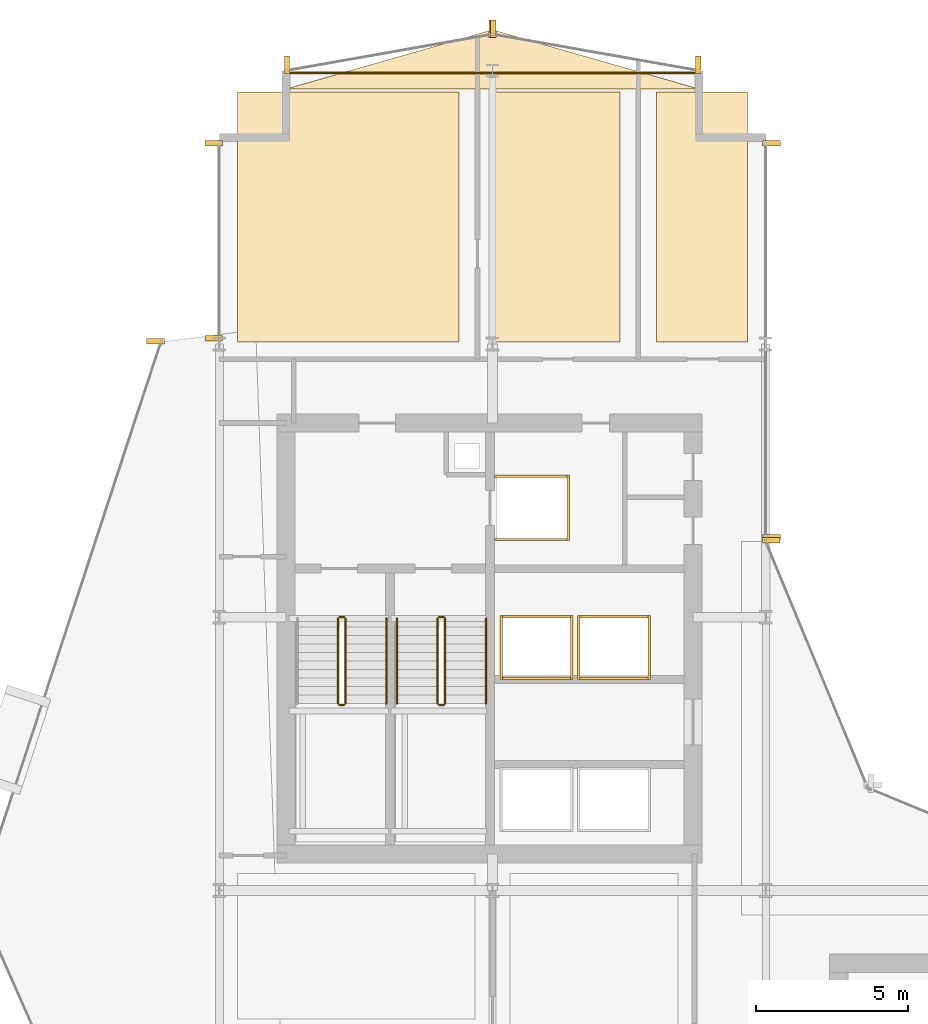
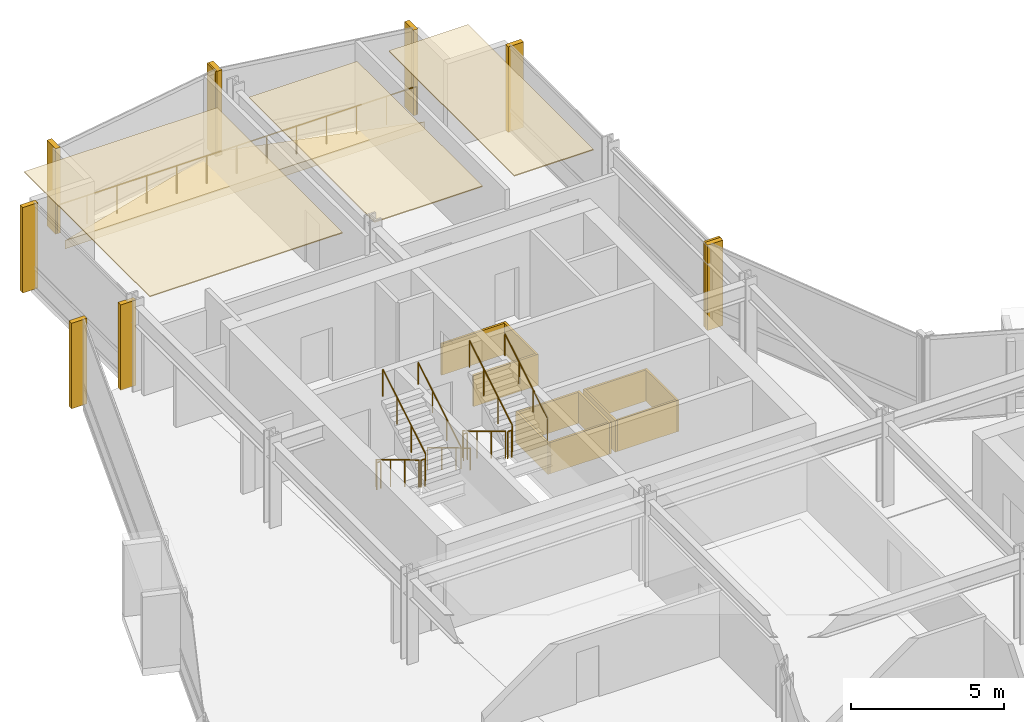
# One storey, part 29 of 29: 25 coverings, 12 railings.
"""IFC4 building model written with IfcOpenShell, lengths in metres."""

from ifc_helpers import new_model, si_unit, direction, frame, origin, origin_2d, place, context, subcontext, project, spatial, polyline, rectangle, circle, outline, extrude, material, layer, layer_set, type_object, element, save


model = new_model("IFC4")

# Units and contexts
model_context = context("Model", 3, precision=1e-05, world=origin(), true_north=direction((0.0, 1.0)))
body_context = subcontext(model_context, "Body", "Model", "MODEL_VIEW")
ifc_project = project(units=[si_unit("LENGTHUNIT", "METRE"), si_unit("AREAUNIT", "SQUARE_METRE"), si_unit("VOLUMEUNIT", "CUBIC_METRE"), si_unit("PLANEANGLEUNIT", "RADIAN"), si_unit("MASSUNIT", "GRAM", prefix="KILO")], contexts=[model_context])

# Site, building, storey
site_placement = place(None, origin())
site = spatial("IfcSite", under=ifc_project, at=site_placement, CompositionType="ELEMENT")
building_placement = place(site_placement, origin())
building = spatial("IfcBuilding", under=site, at=building_placement, Name="Solvaryn Broadcast Tower", CompositionType="ELEMENT")
storey_placement = place(building_placement, frame((0.0, 0.0, 113.699951171875)))
storey = spatial("IfcBuildingStorey", under=building, at=storey_placement, Name="L27", CompositionType="ELEMENT", Elevation=113.699951171875)

# Coverings
ifc_material_1 = material(Name="Micro-Perforated Acoustic Gypsum Ceiling", Category="concrete")
ifc_layer_1 = layer(ifc_material_1, 0.0400390625)
ifc_layer_set_1 = layer_set([ifc_layer_1], Name="CV-CEIL-ACOUSTIC")
covering_type_1 = type_object("IfcCoveringType", Name="CV-CEIL-ACOUSTIC", PredefinedType="CEILING", material=ifc_layer_set_1)
covering_1_placement = place(storey_placement, frame((0.0, 0.0, 3.380126953125)))
element("IfcCovering", 1, at=covering_1_placement, inside=storey, type_object=covering_type_1, Name="L27 Room Acoustic Ceiling 7", PredefinedType="CEILING", context=body_context, shape_type="SweptSolid", body=[
    extrude(outline(polyline([(9.60009765625, 45.070068359375), (16.89990234375, 45.070068359375), (16.89990234375, 53.300048828125), (9.60009765625, 53.300048828125), (9.60009765625, 45.070068359375)])), origin(), (0.0, 0.0, 1.0), 0.0400390625),
])
covering_2_placement = place(storey_placement, frame((0.0, 0.0, 3.380126953125)))
element("IfcCovering", 2, at=covering_2_placement, inside=storey, type_object=covering_type_1, Name="L27 Room Acoustic Ceiling 8", PredefinedType="CEILING", context=body_context, shape_type="SweptSolid", body=[
    extrude(outline(polyline([(18.10009765625, 45.070068359375), (22.199951171875, 45.070068359375), (22.199951171875, 53.300048828125), (18.10009765625, 53.300048828125), (18.10009765625, 45.070068359375)])), origin(), (0.0, 0.0, 1.0), 0.0400390625),
])
covering_3_placement = place(storey_placement, frame((0.0, 0.0, 3.380126953125)))
element("IfcCovering", 3, at=covering_3_placement, inside=storey, type_object=covering_type_1, Name="L27 Room Acoustic Ceiling 9", PredefinedType="CEILING", context=body_context, shape_type="SweptSolid", body=[
    extrude(outline(polyline([(23.39990234375, 45.070068359375), (26.39990234375, 45.070068359375), (26.39990234375, 53.300048828125), (23.39990234375, 53.300048828125), (23.39990234375, 45.070068359375)])), origin(), (0.0, 0.0, 1.0), 0.0400390625),
])
ifc_material_2 = material(Name="Fire-Rated Gypsum Shaftwall Liner", Category="concrete")
ifc_layer_2 = layer(ifc_material_2, 0.080078125)
ifc_layer_set_2 = layer_set([ifc_layer_2], Name="CV-SHAFT-LINER")
covering_type_2 = type_object("IfcCoveringType", Name="CV-SHAFT-LINER", PredefinedType="CLADDING", material=ifc_layer_set_2)
for number, where, z_axis, x_axis, name in (
    (4, (19.300048828125, 40.639892578125, 0.0), (0.0, 0.0, 1.0), (1.0, 0.0, 0.0), "L27 FL1 Hoistway Shaft Liner North"),
    (5, (19.300048828125, 38.56005859375, 0.0), (0.0, 0.0, 1.0), (1.0, 0.0, 0.0), "L27 FL1 Hoistway Shaft Liner South"),
):
    element("IfcCovering", number, at=place(storey_placement, frame(where, z_axis=z_axis, x_axis=x_axis)), inside=storey, type_object=covering_type_2, Name=name, PredefinedType="CLADDING", context=body_context, shape_type="SweptSolid", body=[
        extrude(rectangle(XDim=2.4599609375, YDim=0.080078125, at=origin_2d()), origin(), (0.0, 0.0, 1.0), 1.25),
    ])
covering_4_placement = place(storey_placement, frame((20.489990234375, 39.60009765625, 0.0), z_axis=(0.0, 0.0, 1.0), x_axis=(1.0, 0.0, 0.0)))
element("IfcCovering", 6, at=covering_4_placement, inside=storey, type_object=covering_type_2, Name="L27 FL1 Hoistway Shaft Liner East", PredefinedType="CLADDING", context=body_context, shape_type="SweptSolid", body=[
    extrude(rectangle(XDim=0.080078125, YDim=2.159912109375, at=origin_2d()), origin(), (0.0, 0.0, 1.0), 1.25),
])
for number, where, z_axis, x_axis, name in (
    (7, (19.449951171875, 36.014892578125, 0.0), (0.0, 0.0, 1.0), (1.0, 0.0, 0.0), "L27 PH3 Hoistway Shaft Liner North"),
    (8, (19.449951171875, 33.985107421875, 0.0), (0.0, 0.0, 1.0), (1.0, 0.0, 0.0), "L27 PH3 Hoistway Shaft Liner South"),
):
    element("IfcCovering", number, at=place(storey_placement, frame(where, z_axis=z_axis, x_axis=x_axis)), inside=storey, type_object=covering_type_2, Name=name, PredefinedType="CLADDING", context=body_context, shape_type="SweptSolid", body=[
        extrude(rectangle(XDim=2.409912109375, YDim=0.080078125, at=origin_2d()), origin(), (0.0, 0.0, 1.0), 1.25),
    ])
for number, where, z_axis, x_axis, name in (
    (9, (20.614990234375, 35.0, 0.0), (0.0, 0.0, 1.0), (1.0, 0.0, 0.0), "L27 PH3 Hoistway Shaft Liner East"),
    (10, (18.284912109375, 35.0, 0.0), (0.0, 0.0, 1.0), (1.0, 0.0, 0.0), "L27 PH3 Hoistway Shaft Liner West"),
):
    element("IfcCovering", number, at=place(storey_placement, frame(where, z_axis=z_axis, x_axis=x_axis)), inside=storey, type_object=covering_type_2, Name=name, PredefinedType="CLADDING", context=body_context, shape_type="SweptSolid", body=[
        extrude(rectangle(XDim=0.080078125, YDim=2.110107421875, at=origin_2d()), origin(), (0.0, 0.0, 1.0), 1.25),
    ])
for number, where, z_axis, x_axis, name in (
    (11, (22.0, 36.014892578125, 0.0), (0.0, 0.0, 1.0), (1.0, 0.0, 0.0), "L27 PH4 Hoistway Shaft Liner North"),
    (12, (22.0, 33.985107421875, 0.0), (0.0, 0.0, 1.0), (1.0, 0.0, 0.0), "L27 PH4 Hoistway Shaft Liner South"),
):
    element("IfcCovering", number, at=place(storey_placement, frame(where, z_axis=z_axis, x_axis=x_axis)), inside=storey, type_object=covering_type_2, Name=name, PredefinedType="CLADDING", context=body_context, shape_type="SweptSolid", body=[
        extrude(rectangle(XDim=2.409912109375, YDim=0.080078125, at=origin_2d()), origin(), (0.0, 0.0, 1.0), 1.25),
    ])
for number, where, z_axis, x_axis, name in (
    (13, (23.1650390625, 35.0, 0.0), (0.0, 0.0, 1.0), (1.0, 0.0, 0.0), "L27 PH4 Hoistway Shaft Liner East"),
    (14, (20.8349609375, 35.0, 0.0), (0.0, 0.0, 1.0), (1.0, 0.0, 0.0), "L27 PH4 Hoistway Shaft Liner West"),
):
    element("IfcCovering", number, at=place(storey_placement, frame(where, z_axis=z_axis, x_axis=x_axis)), inside=storey, type_object=covering_type_2, Name=name, PredefinedType="CLADDING", context=body_context, shape_type="SweptSolid", body=[
        extrude(rectangle(XDim=0.080078125, YDim=2.110107421875, at=origin_2d()), origin(), (0.0, 0.0, 1.0), 1.25),
    ])
ifc_material_3 = material(Name="Extruded Architectural Terracotta Fin", Category="masonry")
ifc_layer_3 = layer(ifc_material_3, 0.179931640625)
ifc_layer_set_3 = layer_set([ifc_layer_3], Name="CV-TC-FIN")
covering_type_3 = type_object("IfcCoveringType", Name="CV-TC-FIN", PredefinedType="USERDEFINED", material=ifc_layer_set_3)
for number, where, z_axis, x_axis, name in (
    (15, (6.898681640625, 45.0947265625, 0.0), (0.0, 0.0, 1.0), (1.0, 0.0, 0.0), "L27 Terracotta Vertical Fin FIN-L27-DR1-M00"),
    (16, (8.8125, 45.197021484375, 0.0), (0.0, 0.0, 1.0), (1.0, 0.0, 0.0), "L27 Terracotta Vertical Fin FIN-L27-W2-M00"),
    (17, (8.8125, 51.6201171875, 0.0), (0.0, 0.0, 1.0), (1.0, 0.0, 0.0), "L27 Terracotta Vertical Fin FIN-L27-W2-M01"),
    (18, (27.1875, 51.6201171875, 0.0), (0.0, 0.0, 1.0), (1.0, 0.0, 0.0), "L27 Terracotta Vertical Fin FIN-L27-IV-M00"),
    (19, (27.1875, 38.6298828125, 0.0), (0.0, 0.0, 1.0), (1.0, 0.0, 0.0), "L27 Terracotta Vertical Fin FIN-L27-IV-M01"),
    (20, (27.177978515625, 38.541259765625, 0.0), (0.0, 0.0, 1.0), (1.0, 0.0, 0.0), "L27 Terracotta Vertical Fin FIN-L27-CN2-M01"),
):
    element("IfcCovering", number, at=place(storey_placement, frame(where, z_axis=z_axis, x_axis=x_axis)), inside=storey, type_object=covering_type_3, Name=name, ObjectType="FIN", PredefinedType="USERDEFINED", context=body_context, shape_type="SweptSolid", body=[
        extrude(rectangle(XDim=0.580078125, YDim=0.179931640625, at=origin_2d()), origin(), (0.0, 0.0, 1.0), 3.419921875),
    ])
for number, where, z_axis, x_axis, name in (
    (21, (24.7705078125, 54.192626953125, 0.0), (0.0, 0.0, 1.0), (1.0, 0.0, 0.0), "L27 Terracotta Vertical Fin FIN-L27-NT1-M00"),
    (22, (18.029541015625, 55.38232421875, 0.0), (0.0, 0.0, 1.0), (1.0, 0.0, 0.0), "L27 Terracotta Vertical Fin FIN-L27-NT1-M01"),
    (23, (17.970458984375, 55.38232421875, 0.0), (0.0, 0.0, 1.0), (1.0, 0.0, 0.0), "L27 Terracotta Vertical Fin FIN-L27-NT2-M00"),
    (24, (11.2294921875, 54.192626953125, 0.0), (0.0, 0.0, 1.0), (1.0, 0.0, 0.0), "L27 Terracotta Vertical Fin FIN-L27-NT2-M01"),
):
    element("IfcCovering", number, at=place(storey_placement, frame(where, z_axis=z_axis, x_axis=x_axis)), inside=storey, type_object=covering_type_3, Name=name, ObjectType="FIN", PredefinedType="USERDEFINED", context=body_context, shape_type="SweptSolid", body=[
        extrude(rectangle(XDim=0.179931640625, YDim=0.580078125, at=origin_2d()), origin(), (0.0, 0.0, 1.0), 3.419921875),
    ])
ifc_material_4 = material(Name="Sculpted Architectural Terracotta Wave Fascia", Category="masonry")
ifc_layer_4 = layer(ifc_material_4, 0.340087890625)
ifc_layer_set_4 = layer_set([ifc_layer_4], Name="CV-WAVE-TRAY")
covering_type_4 = type_object("IfcCoveringType", Name="CV-WAVE-TRAY", PredefinedType="CLADDING", material=ifc_layer_set_4)
covering_5_placement = place(storey_placement, frame((0.0, 0.0, -0.300048828125)))
element("IfcCovering", 25, at=covering_5_placement, inside=storey, type_object=covering_type_4, Name="L27 North Curved Wing Deck", PredefinedType="CLADDING", context=body_context, shape_type="SweptSolid", body=[
    extrude(outline(polyline([(11.199951171875, 53.39990234375), (24.800048828125, 53.39990234375), (18.0, 55.35009765625), (11.199951171875, 53.39990234375)])), origin(), (0.0, 0.0, 1.0), 0.330078125),
])

# Railings
ifc_material_5 = material(Name="Painted Steel Stair Well Guard", Category="steel")
railing_type_1 = type_object("IfcRailingType", Name="RL-STAIR-GUARD", PredefinedType="BALUSTRADE", material=ifc_material_5)
railing_1_placement = place(storey_placement, frame((12.909912109375, 35.9599609375, 0.168212890625)))
element("IfcRailing", 26, at=railing_1_placement, inside=storey, type_object=railing_type_1, Name="L27 ST1 stair guard 1", PredefinedType="BALUSTRADE", context=body_context, shape_type="SweptSolid", body=[
    extrude(circle(Radius=0.02392578125, at=origin_2d()), frame((0.0, 0.0, 1.076171875), z_axis=(0.0, -0.857242210791, 0.514913383045), x_axis=(1.0, 0.0, 0.0)), (0.0, 0.0, 1.0), 3.266357421875),
    extrude(circle(Radius=0.02099609375, at=origin_2d()), origin(), (0.0, 0.0, 1.0), 1.052001953125),
    extrude(circle(Radius=0.02099609375, at=origin_2d()), frame((0.0, -0.933349609375, 0.560546875)), (0.0, 0.0, 1.0), 1.052001953125),
    extrude(circle(Radius=0.02099609375, at=origin_2d()), frame((0.0, -1.86669921875, 1.121337890625)), (0.0, 0.0, 1.0), 1.052001953125),
    extrude(circle(Radius=0.02099609375, at=origin_2d()), frame((0.0, -2.800048828125, 1.681884765625)), (0.0, 0.0, 1.0), 1.052001953125),
])
railing_2_placement = place(storey_placement, frame((12.9599609375, 33.110107421875, 1.85009765625)))
element("IfcRailing", 27, at=railing_2_placement, inside=storey, type_object=railing_type_1, Name="L27 ST1 stair guard 2", PredefinedType="BALUSTRADE", context=body_context, shape_type="SweptSolid", body=[
    extrude(circle(Radius=0.02392578125, at=origin_2d()), frame((0.0, 0.0, 1.076171875), z_axis=(1.0, 0.0, 0.0), x_axis=(0.0, 1.0, 0.0)), (0.0, 0.0, 1.0), 0.150146484375),
    extrude(circle(Radius=0.02099609375, at=origin_2d()), origin(), (0.0, 0.0, 1.0), 1.052001953125),
    extrude(circle(Radius=0.02099609375, at=origin_2d()), frame((0.150146484375, 0.0, 0.0)), (0.0, 0.0, 1.0), 1.052001953125),
])
railing_3_placement = place(storey_placement, frame((13.159912109375, 33.159912109375, 2.018310546875)))
element("IfcRailing", 28, at=railing_3_placement, inside=storey, type_object=railing_type_1, Name="L27 ST1 stair guard 3", PredefinedType="BALUSTRADE", context=body_context, shape_type="SweptSolid", body=[
    extrude(circle(Radius=0.02392578125, at=origin_2d()), frame((0.0, 0.0, 1.076171875), z_axis=(0.0, 0.857275202839, 0.514858452973), x_axis=(-1.0, 0.0, 0.0)), (0.0, 0.0, 1.0), 3.26611328125),
    extrude(circle(Radius=0.02099609375, at=origin_2d()), origin(), (0.0, 0.0, 1.0), 1.052001953125),
    extrude(circle(Radius=0.02099609375, at=origin_2d()), frame((0.0, 0.933349609375, 0.560546875)), (0.0, 0.0, 1.0), 1.052001953125),
    extrude(circle(Radius=0.02099609375, at=origin_2d()), frame((0.0, 1.86669921875, 1.12109375)), (0.0, 0.0, 1.0), 1.052001953125),
    extrude(circle(Radius=0.02099609375, at=origin_2d()), frame((0.0, 2.800048828125, 1.681640625)), (0.0, 0.0, 1.0), 1.052001953125),
])
railing_4_placement = place(storey_placement, frame((12.9599609375, 36.010009765625, 0.0)))
element("IfcRailing", 29, at=railing_4_placement, inside=storey, type_object=railing_type_1, Name="L27 ST1 stair guard 4", PredefinedType="BALUSTRADE", context=body_context, shape_type="SweptSolid", body=[
    extrude(circle(Radius=0.02392578125, at=origin_2d()), frame((0.0, 0.0, 1.076171875), z_axis=(1.0, 0.0, 0.0), x_axis=(0.0, 1.0, 0.0)), (0.0, 0.0, 1.0), 0.150146484375),
    extrude(circle(Radius=0.02099609375, at=origin_2d()), origin(), (0.0, 0.0, 1.0), 1.052001953125),
    extrude(circle(Radius=0.02099609375, at=origin_2d()), frame((0.150146484375, 0.0, 0.0)), (0.0, 0.0, 1.0), 1.052001953125),
])
railing_5_placement = place(storey_placement, frame((16.18994140625, 35.9599609375, 0.168212890625)))
element("IfcRailing", 30, at=railing_5_placement, inside=storey, type_object=railing_type_1, Name="L27 ST2 stair guard 1", PredefinedType="BALUSTRADE", context=body_context, shape_type="SweptSolid", body=[
    extrude(circle(Radius=0.02392578125, at=origin_2d()), frame((0.0, 0.0, 1.076171875), z_axis=(0.0, -0.857242210791, 0.514913383045), x_axis=(1.0, 0.0, 0.0)), (0.0, 0.0, 1.0), 3.266357421875),
    extrude(circle(Radius=0.02099609375, at=origin_2d()), origin(), (0.0, 0.0, 1.0), 1.052001953125),
    extrude(circle(Radius=0.02099609375, at=origin_2d()), frame((0.0, -0.933349609375, 0.560546875)), (0.0, 0.0, 1.0), 1.052001953125),
    extrude(circle(Radius=0.02099609375, at=origin_2d()), frame((0.0, -1.86669921875, 1.121337890625)), (0.0, 0.0, 1.0), 1.052001953125),
    extrude(circle(Radius=0.02099609375, at=origin_2d()), frame((0.0, -2.800048828125, 1.681884765625)), (0.0, 0.0, 1.0), 1.052001953125),
])
railing_6_placement = place(storey_placement, frame((16.239990234375, 33.110107421875, 1.85009765625)))
element("IfcRailing", 31, at=railing_6_placement, inside=storey, type_object=railing_type_1, Name="L27 ST2 stair guard 2", PredefinedType="BALUSTRADE", context=body_context, shape_type="SweptSolid", body=[
    extrude(circle(Radius=0.02392578125, at=origin_2d()), frame((0.0, 0.0, 1.076171875), z_axis=(1.0, 0.0, 0.0), x_axis=(0.0, 1.0, 0.0)), (0.0, 0.0, 1.0), 0.14990234375),
    extrude(circle(Radius=0.02099609375, at=origin_2d()), origin(), (0.0, 0.0, 1.0), 1.052001953125),
    extrude(circle(Radius=0.02099609375, at=origin_2d()), frame((0.14990234375, 0.0, 0.0)), (0.0, 0.0, 1.0), 1.052001953125),
])
railing_7_placement = place(storey_placement, frame((16.43994140625, 33.159912109375, 2.018310546875)))
element("IfcRailing", 32, at=railing_7_placement, inside=storey, type_object=railing_type_1, Name="L27 ST2 stair guard 3", PredefinedType="BALUSTRADE", context=body_context, shape_type="SweptSolid", body=[
    extrude(circle(Radius=0.02392578125, at=origin_2d()), frame((0.0, 0.0, 1.076171875), z_axis=(0.0, 0.857275202839, 0.514858452973), x_axis=(-1.0, 0.0, 0.0)), (0.0, 0.0, 1.0), 3.26611328125),
    extrude(circle(Radius=0.02099609375, at=origin_2d()), origin(), (0.0, 0.0, 1.0), 1.052001953125),
    extrude(circle(Radius=0.02099609375, at=origin_2d()), frame((0.0, 0.933349609375, 0.560546875)), (0.0, 0.0, 1.0), 1.052001953125),
    extrude(circle(Radius=0.02099609375, at=origin_2d()), frame((0.0, 1.86669921875, 1.12109375)), (0.0, 0.0, 1.0), 1.052001953125),
    extrude(circle(Radius=0.02099609375, at=origin_2d()), frame((0.0, 2.800048828125, 1.681640625)), (0.0, 0.0, 1.0), 1.052001953125),
])
railing_8_placement = place(storey_placement, frame((16.239990234375, 36.010009765625, 0.0)))
element("IfcRailing", 33, at=railing_8_placement, inside=storey, type_object=railing_type_1, Name="L27 ST2 stair guard 4", PredefinedType="BALUSTRADE", context=body_context, shape_type="SweptSolid", body=[
    extrude(circle(Radius=0.02392578125, at=origin_2d()), frame((0.0, 0.0, 1.076171875), z_axis=(1.0, 0.0, 0.0), x_axis=(0.0, 1.0, 0.0)), (0.0, 0.0, 1.0), 0.14990234375),
    extrude(circle(Radius=0.02099609375, at=origin_2d()), origin(), (0.0, 0.0, 1.0), 1.052001953125),
    extrude(circle(Radius=0.02099609375, at=origin_2d()), frame((0.14990234375, 0.0, 0.0)), (0.0, 0.0, 1.0), 1.052001953125),
])
ifc_material_6 = material(Name="Brushed Stainless Steel Tubular Handrail", Category="steel")
railing_type_2 = type_object("IfcRailingType", Name="RL-STAIR-HANDRAIL", PredefinedType="HANDRAIL", material=ifc_material_6)
railing_9_placement = place(storey_placement, frame((14.5, 33.159912109375, 2.018310546875)))
element("IfcRailing", 34, at=railing_9_placement, inside=storey, type_object=railing_type_2, Name="L27 ST1 stair handrail 2", PredefinedType="HANDRAIL", context=body_context, shape_type="SweptSolid", body=[
    extrude(circle(Radius=0.02392578125, at=origin_2d()), frame((0.0, 0.0, 0.8759765625), z_axis=(0.0, 0.857275202839, 0.514858452973), x_axis=(-1.0, 0.0, 0.0)), (0.0, 0.0, 1.0), 3.26611328125),
    extrude(circle(Radius=0.02099609375, at=origin_2d()), origin(), (0.0, 0.0, 1.0), 0.851806640625),
    extrude(circle(Radius=0.02099609375, at=origin_2d()), frame((0.0, 0.933349609375, 0.560546875)), (0.0, 0.0, 1.0), 0.851806640625),
    extrude(circle(Radius=0.02099609375, at=origin_2d()), frame((0.0, 1.86669921875, 1.12109375)), (0.0, 0.0, 1.0), 0.851806640625),
    extrude(circle(Radius=0.02099609375, at=origin_2d()), frame((0.0, 2.800048828125, 1.681640625)), (0.0, 0.0, 1.0), 0.851806640625),
])
railing_10_placement = place(storey_placement, frame((14.85009765625, 35.9599609375, 0.168212890625)))
element("IfcRailing", 35, at=railing_10_placement, inside=storey, type_object=railing_type_2, Name="L27 ST2 stair handrail 1", PredefinedType="HANDRAIL", context=body_context, shape_type="SweptSolid", body=[
    extrude(circle(Radius=0.02392578125, at=origin_2d()), frame((0.0, 0.0, 0.8759765625), z_axis=(0.0, -0.857242210791, 0.514913383045), x_axis=(1.0, 0.0, 0.0)), (0.0, 0.0, 1.0), 3.266357421875),
    extrude(circle(Radius=0.02099609375, at=origin_2d()), origin(), (0.0, 0.0, 1.0), 0.851806640625),
    extrude(circle(Radius=0.02099609375, at=origin_2d()), frame((0.0, -0.933349609375, 0.560546875)), (0.0, 0.0, 1.0), 0.851806640625),
    extrude(circle(Radius=0.02099609375, at=origin_2d()), frame((0.0, -1.86669921875, 1.121337890625)), (0.0, 0.0, 1.0), 0.851806640625),
    extrude(circle(Radius=0.02099609375, at=origin_2d()), frame((0.0, -2.800048828125, 1.681884765625)), (0.0, 0.0, 1.0), 0.851806640625),
])
railing_11_placement = place(storey_placement, frame((17.780029296875, 33.159912109375, 2.018310546875)))
element("IfcRailing", 36, at=railing_11_placement, inside=storey, type_object=railing_type_2, Name="L27 ST2 stair handrail 2", PredefinedType="HANDRAIL", context=body_context, shape_type="SweptSolid", body=[
    extrude(circle(Radius=0.02392578125, at=origin_2d()), frame((0.0, 0.0, 0.8759765625), z_axis=(0.0, 0.857275202839, 0.514858452973), x_axis=(-1.0, 0.0, 0.0)), (0.0, 0.0, 1.0), 3.26611328125),
    extrude(circle(Radius=0.02099609375, at=origin_2d()), origin(), (0.0, 0.0, 1.0), 0.851806640625),
    extrude(circle(Radius=0.02099609375, at=origin_2d()), frame((0.0, 0.933349609375, 0.560546875)), (0.0, 0.0, 1.0), 0.851806640625),
    extrude(circle(Radius=0.02099609375, at=origin_2d()), frame((0.0, 1.86669921875, 1.12109375)), (0.0, 0.0, 1.0), 0.851806640625),
    extrude(circle(Radius=0.02099609375, at=origin_2d()), frame((0.0, 2.800048828125, 1.681640625)), (0.0, 0.0, 1.0), 0.851806640625),
])
ifc_material_7 = material(Name="Stainless Steel and Laminated Glass Guard", Category="steel")
railing_type_3 = type_object("IfcRailingType", Name="RL-TER-1150", PredefinedType="BALUSTRADE", material=ifc_material_7)
railing_12_placement = place(storey_placement, frame((11.199951171875, 53.919921875, 0.0)))
element("IfcRailing", 37, at=railing_12_placement, inside=storey, type_object=railing_type_3, Name="L27 North Wing Spandrel Edge Guard", PredefinedType="BALUSTRADE", context=body_context, shape_type="SweptSolid", body=[
    extrude(circle(Radius=0.02392578125, at=origin_2d()), frame((0.0, 0.0, 1.1259765625), z_axis=(1.0, 0.0, 0.0), x_axis=(0.0, 1.0, 0.0)), (0.0, 0.0, 1.0), 13.60009765625),
    extrude(circle(Radius=0.02099609375, at=origin_2d()), origin(), (0.0, 0.0, 1.0), 1.101806640625),
    extrude(circle(Radius=0.02099609375, at=origin_2d()), frame((1.13330078125, 0.0, 0.0)), (0.0, 0.0, 1.0), 1.101806640625),
    extrude(circle(Radius=0.02099609375, at=origin_2d()), frame((2.2666015625, 0.0, 0.0)), (0.0, 0.0, 1.0), 1.101806640625),
    extrude(circle(Radius=0.02099609375, at=origin_2d()), frame((3.39990234375, 0.0, 0.0)), (0.0, 0.0, 1.0), 1.101806640625),
    extrude(circle(Radius=0.02099609375, at=origin_2d()), frame((4.533447265625, 0.0, 0.0)), (0.0, 0.0, 1.0), 1.101806640625),
    extrude(circle(Radius=0.02099609375, at=origin_2d()), frame((5.666748046875, 0.0, 0.0)), (0.0, 0.0, 1.0), 1.101806640625),
    extrude(circle(Radius=0.02099609375, at=origin_2d()), frame((6.800048828125, 0.0, 0.0)), (0.0, 0.0, 1.0), 1.101806640625),
    extrude(circle(Radius=0.02099609375, at=origin_2d()), frame((7.933349609375, 0.0, 0.0)), (0.0, 0.0, 1.0), 1.101806640625),
    extrude(circle(Radius=0.02099609375, at=origin_2d()), frame((9.066650390625, 0.0, 0.0)), (0.0, 0.0, 1.0), 1.101806640625),
    extrude(circle(Radius=0.02099609375, at=origin_2d()), frame((10.2001953125, 0.0, 0.0)), (0.0, 0.0, 1.0), 1.101806640625),
    extrude(circle(Radius=0.02099609375, at=origin_2d()), frame((11.33349609375, 0.0, 0.0)), (0.0, 0.0, 1.0), 1.101806640625),
    extrude(circle(Radius=0.02099609375, at=origin_2d()), frame((12.466796875, 0.0, 0.0)), (0.0, 0.0, 1.0), 1.101806640625),
    extrude(circle(Radius=0.02099609375, at=origin_2d()), frame((13.60009765625, 0.0, 0.0)), (0.0, 0.0, 1.0), 1.101806640625),
])

save(model, "model.ifc")
